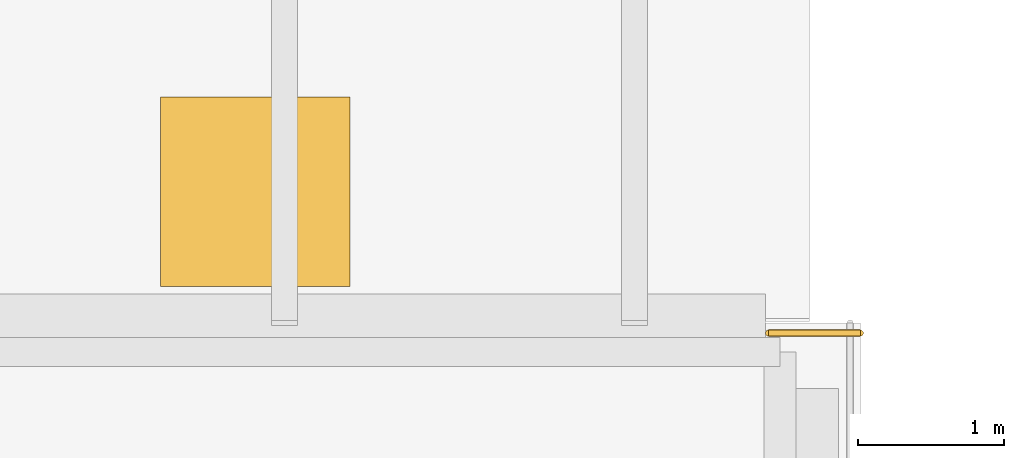
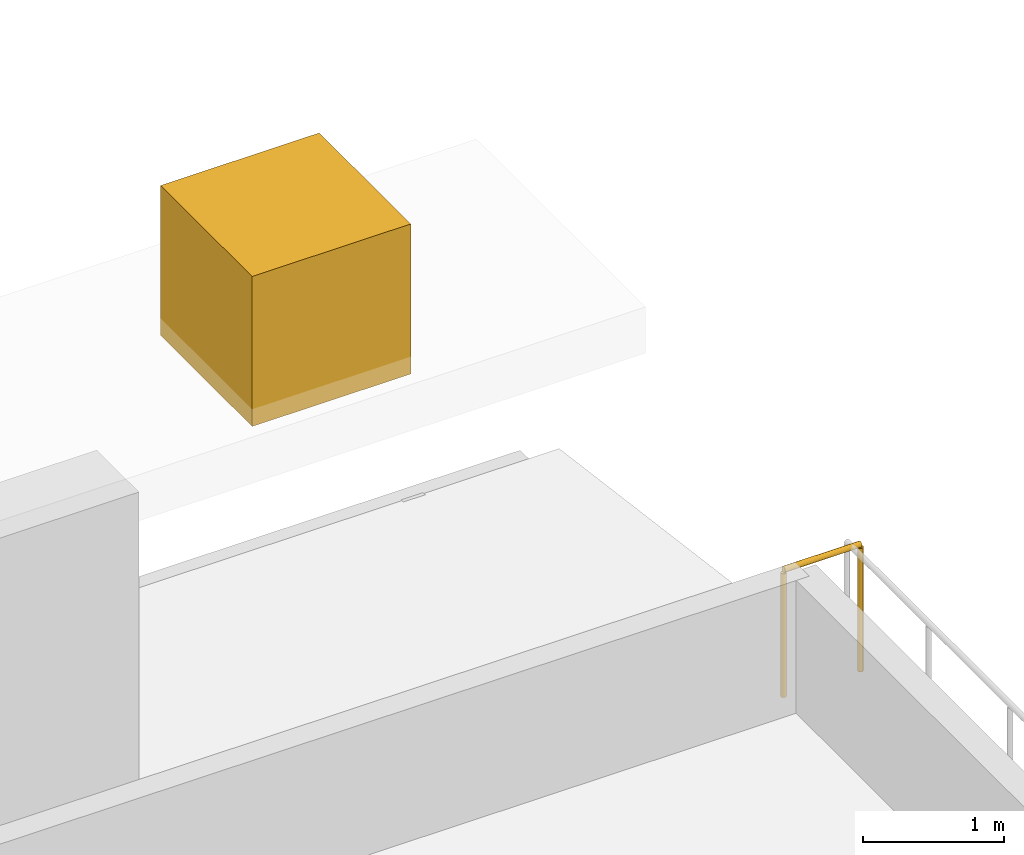
# One storey, part 80 of 82: 1 covering, 1 railing.
"""IFC4 building model written with IfcOpenShell, lengths in metres."""

import ifcopenshell
import ifcopenshell.guid

model = None  # the IFC model being written
_history = None  # IfcOwnerHistory: only IFC2X3 demands one
_inside = {}  # id of a spatial element -> (the spatial element, [elements in it])
_under = {}  # id of a project, library or spatial element -> (it, [spatial elements below it])
_declared = {}  # id of a project -> (the project, [libraries it declares])
_typed = {}  # id of a type object -> (the type object, [elements of that type])
_made_of = {}  # id of a material, layer set ... -> (it, [elements and type objects made of it])


def new_model(schema):
    """Start an empty IFC model of exactly this schema.

    Asked for "IFC4X3", IfcOpenShell would pick the latest addendum, in which some entities
    have other attributes; the version numbers below select the first issue.
    IFC2X3 requires an IfcOwnerHistory on every rooted entity: one is made here for all.
    """
    global model, _history
    if schema == "IFC4X3":
        model = ifcopenshell.file(schema_version=(4, 3, 0, 0))
    else:
        model = ifcopenshell.file(schema=schema)
    _inside.clear()
    _under.clear()
    _declared.clear()
    _typed.clear()
    _made_of.clear()
    _history = None
    if model.schema == "IFC2X3":
        org = make("IfcOrganization", Name="unknown")
        user = make(
            "IfcPersonAndOrganization",
            ThePerson=make("IfcPerson", FamilyName="unknown"),
            TheOrganization=org,
        )
        app = make(
            "IfcApplication",
            ApplicationDeveloper=org,
            Version="unknown",
            ApplicationFullName="unknown",
            ApplicationIdentifier="unknown",
        )
        _history = make(
            "IfcOwnerHistory",
            OwningUser=user,
            OwningApplication=app,
            ChangeAction="ADDED",
            CreationDate=0,
        )
    return model


def make(cls, **values):
    """One entity of the class cls with the attributes given. An attribute that is None is left unset."""
    return model.create_entity(
        cls, **{name: value for name, value in values.items() if value is not None}
    )


def rooted(cls, **values):
    """An entity with a GlobalId (a new one), such as an element, a storey or a relation."""
    return make(cls, GlobalId=ifcopenshell.guid.new(), OwnerHistory=_history, **values)


def si_unit(unit_type, name, prefix=None):
    """IfcSIUnit, for example si_unit("LENGTHUNIT", "METRE", prefix="MILLI")."""
    return make("IfcSIUnit", UnitType=unit_type, Prefix=prefix, Name=name)


def assignment(units):
    """IfcUnitAssignment: the units of a project."""
    return None if units is None else make("IfcUnitAssignment", Units=units)


def point(xyz):
    """IfcCartesianPoint."""
    return None if xyz is None else make("IfcCartesianPoint", Coordinates=xyz)


def direction(xyz):
    """IfcDirection."""
    return None if xyz is None else make("IfcDirection", DirectionRatios=xyz)


def frame(location, z_axis=None, x_axis=None):
    """IfcAxis2Placement3D, a coordinate frame: its origin and axes. An axis left out is left unset."""
    return make(
        "IfcAxis2Placement3D",
        Location=point(location),
        Axis=direction(z_axis),
        RefDirection=direction(x_axis),
    )


def frame_2d(location, x_axis=None):
    """IfcAxis2Placement2D, a coordinate frame in the plane: its origin and x axis."""
    return make(
        "IfcAxis2Placement2D", Location=point(location), RefDirection=direction(x_axis)
    )


def origin():
    """The frame at (0, 0, 0) with its axes left unset."""
    return frame((0.0, 0.0, 0.0))


def origin_2d():
    """The frame at (0, 0) in the plane with its x axis left unset."""
    return frame_2d((0.0, 0.0))


def place(relative_to, where):
    """IfcLocalPlacement: puts the frame where relative to a parent placement (None: the world)."""
    return make(
        "IfcLocalPlacement", PlacementRelTo=relative_to, RelativePlacement=where
    )


def context(
    kind, dimensions, precision=None, world=None, true_north=None, identifier=None
):
    """IfcGeometricRepresentationContext, for example the 3D "Model" context."""
    return make(
        "IfcGeometricRepresentationContext",
        ContextIdentifier=identifier,
        ContextType=kind,
        CoordinateSpaceDimension=dimensions,
        Precision=precision,
        WorldCoordinateSystem=world,
        TrueNorth=true_north,
    )


def subcontext(parent, identifier, kind, view, scale=None):
    """IfcGeometricRepresentationSubContext, for example "Body" below "Model"."""
    return make(
        "IfcGeometricRepresentationSubContext",
        ContextIdentifier=identifier,
        ContextType=kind,
        ParentContext=parent,
        TargetScale=scale,
        TargetView=view,
    )


def project(units=None, contexts=None):
    """IfcProject with its units and contexts."""
    return rooted(
        "IfcProject",
        Name="project",
        RepresentationContexts=contexts,
        UnitsInContext=assignment(units),
    )


def spatial(cls, under=None, at=None, **own):
    """A site, building, storey or space (cls), placed at a placement, below another one or the project."""
    s = rooted(cls, ObjectPlacement=at, **own)
    if under is not None:
        _under.setdefault(under.id(), (under, []))[1].append(s)
    return s


def polyline(points):
    """IfcPolyline through the points."""
    return make("IfcPolyline", Points=[point(p) for p in points])


def profile(cls, at=None, kind="AREA", **sizes):
    """A parametric profile (cls). Its sizes go by their IFC names, for example OverallWidth=200.0."""
    return make(cls, ProfileType=kind, Position=at, **sizes)


def circle(**sizes):
    """IfcCircleProfileDef."""
    return profile("IfcCircleProfileDef", **sizes)


def outline(outer, holes=None, kind="AREA"):
    """IfcArbitraryClosedProfileDef: a profile drawn as a closed curve; with holes, ...WithVoids."""
    if holes is None:
        return make("IfcArbitraryClosedProfileDef", ProfileType=kind, OuterCurve=outer)
    return make(
        "IfcArbitraryProfileDefWithVoids",
        ProfileType=kind,
        OuterCurve=outer,
        InnerCurves=holes,
    )


def extrude(swept, where, along, depth):
    """IfcExtrudedAreaSolid: the profile swept, set in the frame where, extruded along a direction by depth."""
    return make(
        "IfcExtrudedAreaSolid",
        SweptArea=swept,
        Position=where,
        ExtrudedDirection=direction(along),
        Depth=depth,
    )


def shape(context_of_items, identifier, shape_type, items):
    """IfcShapeRepresentation: the items that make up one representation, for example the "Body"."""
    return make(
        "IfcShapeRepresentation",
        ContextOfItems=context_of_items,
        RepresentationIdentifier=identifier,
        RepresentationType=shape_type,
        Items=items,
    )


def material(Name=None, Category=None):
    """IfcMaterial."""
    return make("IfcMaterial", Name=Name, Category=Category)


def layer(
    of_material, thickness, ventilated=None, Name=None, Category=None, Priority=None
):
    """IfcMaterialLayer: one layer of a wall or slab, of a material (None: an air gap)."""
    return make(
        "IfcMaterialLayer",
        Material=of_material,
        LayerThickness=thickness,
        IsVentilated=ventilated,
        Name=Name,
        Category=Category,
        Priority=Priority,
    )


def layer_set(layers, Name=None):
    """IfcMaterialLayerSet."""
    return make("IfcMaterialLayerSet", MaterialLayers=layers, LayerSetName=Name)


def made_of(thing, what):
    """Note that an element or type object is made of a material, layer set ...; save() writes the relation."""
    if what is not None:
        _made_of.setdefault(what.id(), (what, []))[1].append(thing)
    return thing


def type_object(cls, material=None, **own):
    """A type object (cls), such as IfcWallType, which elements share."""
    return made_of(rooted(cls, **own), material)


def element(
    cls,
    number,
    at=None,
    inside=None,
    cuts=None,
    type_object=None,
    material=None,
    context=None,
    identifier="Body",
    shape_type=None,
    held_by="IfcProductDefinitionShape",
    body=None,
    shapes=None,
    **own,
):
    """One element of the class cls, such as IfcWall. Its Tag is "e" and its number.

    at: its placement. inside: the storey or other place that contains it. cuts: it is an
    opening in that element (IfcRelVoidsElement). A single representation is given by context,
    identifier, shape_type and body (its items); several are given by shapes. held_by: the class
    of the entity that holds the representations. save() writes the other relations.
    """
    e = rooted(cls, Tag="e%d" % number, ObjectPlacement=at, **own)
    if body is not None:
        shapes = [shape(context, identifier, shape_type, body)]
    if shapes is not None:
        e.Representation = make(held_by, Representations=shapes)
    if inside is not None:
        _inside.setdefault(inside.id(), (inside, []))[1].append(e)
    if cuts is not None:
        rooted(
            "IfcRelVoidsElement", RelatingBuildingElement=cuts, RelatedOpeningElement=e
        )
    if type_object is not None:
        _typed.setdefault(type_object.id(), (type_object, []))[1].append(e)
    return made_of(e, material)


def aggregate(whole, parts):
    """IfcRelAggregates: a whole, such as a stair, and the parts it consists of."""
    return rooted("IfcRelAggregates", RelatingObject=whole, RelatedObjects=parts)


def save(model, path):
    """Write the relations noted so far, then the file.

    IfcRelAggregates (storeys below a building ...), IfcRelContainedInSpatialStructure (elements
    in a storey), IfcRelDefinesByType, IfcRelAssociatesMaterial and IfcRelDeclares: one each for
    every whole, place, type object, material and project.
    """
    for whole, parts in _under.values():
        aggregate(whole, parts)
    for where, things in _inside.values():
        rooted(
            "IfcRelContainedInSpatialStructure",
            RelatedElements=things,
            RelatingStructure=where,
        )
    for kind, things in _typed.values():
        rooted("IfcRelDefinesByType", RelatedObjects=things, RelatingType=kind)
    for what, things in _made_of.values():
        rooted("IfcRelAssociatesMaterial", RelatedObjects=things, RelatingMaterial=what)
    for by, libraries in _declared.values():
        rooted("IfcRelDeclares", RelatingContext=by, RelatedDefinitions=libraries)
    model.write(path)


model = new_model("IFC4")

# Units and contexts
model_context = context("Model", 3, precision=1e-05, world=origin(), true_north=direction((0.0, 1.0)))
body_context = subcontext(model_context, "Body", "Model", "MODEL_VIEW")
ifc_project = project(units=[si_unit("LENGTHUNIT", "METRE"), si_unit("AREAUNIT", "SQUARE_METRE"), si_unit("VOLUMEUNIT", "CUBIC_METRE"), si_unit("PLANEANGLEUNIT", "RADIAN"), si_unit("MASSUNIT", "GRAM", prefix="KILO")], contexts=[model_context])

# Site, building, storey
site_placement = place(None, origin())
site = spatial("IfcSite", under=ifc_project, at=site_placement, CompositionType="ELEMENT")
building_placement = place(site_placement, origin())
building = spatial("IfcBuilding", under=site, at=building_placement, Name="Sardonyx Promenade Sports Hall", CompositionType="ELEMENT")
storey_placement = place(building_placement, frame((0.0, 0.0, 11.199951171875)))
storey = spatial("IfcBuildingStorey", under=building, at=storey_placement, Name="L02", CompositionType="ELEMENT", Elevation=11.199951171875)

# Covering
ifc_material_1 = material(Name="Dressed Cape red sandstone cornice", Category="masonry")
ifc_layer = layer(ifc_material_1, 0.139892578125)
ifc_layer_set = layer_set([ifc_layer], Name="Cov_Chhajja_Eave")
covering_type = type_object("IfcCoveringType", Name="Cov_Chhajja_Eave", PredefinedType="MOLDING", material=ifc_layer_set)
covering_placement = place(storey_placement, frame((0.0, 0.0, 3.60009765625)))
element("IfcCovering", 1, at=covering_placement, inside=storey, type_object=covering_type, Name="Pishtaq guldasta corner finial E", PredefinedType="MOLDING", context=body_context, shape_type="SweptSolid", body=[
    extrude(outline(polyline([(103.550048828125, 101.050048828125), (104.85009765625, 101.050048828125), (104.85009765625, 102.35009765625), (103.550048828125, 102.35009765625), (103.550048828125, 101.050048828125)])), origin(), (0.0, 0.0, 1.0), 1.300048828125),
])

# Railing
ifc_material_2 = material(Name="Powder-coated Steel S355JR", Category="steel")
railing_type = type_object("IfcRailingType", Name="Rail_Int_Guard_1100", PredefinedType="GUARDRAIL", material=ifc_material_2)
railing_placement = place(storey_placement, frame((108.35009765625, 100.72998046875, 0.0)))
element("IfcRailing", 2, at=railing_placement, inside=storey, type_object=railing_type, Name="Deck-edge guardrail GR02 L02 #47", PredefinedType="GUARDRAIL", context=body_context, shape_type="SweptSolid", body=[
    extrude(circle(Radius=0.02392578125, at=origin_2d()), frame((0.0, 0.0, 1.09619140625), z_axis=(-1.0, 0.0, 0.0), x_axis=(0.0, -1.0, 0.0)), (0.0, 0.0, 1.0), 0.630126953125),
    extrude(circle(Radius=0.02099609375, at=origin_2d()), origin(), (0.0, 0.0, 1.0), 1.072021484375),
    extrude(circle(Radius=0.02099609375, at=origin_2d()), frame((-0.630126953125, 0.0, 0.0)), (0.0, 0.0, 1.0), 1.072021484375),
])

save(model, "model.ifc")
